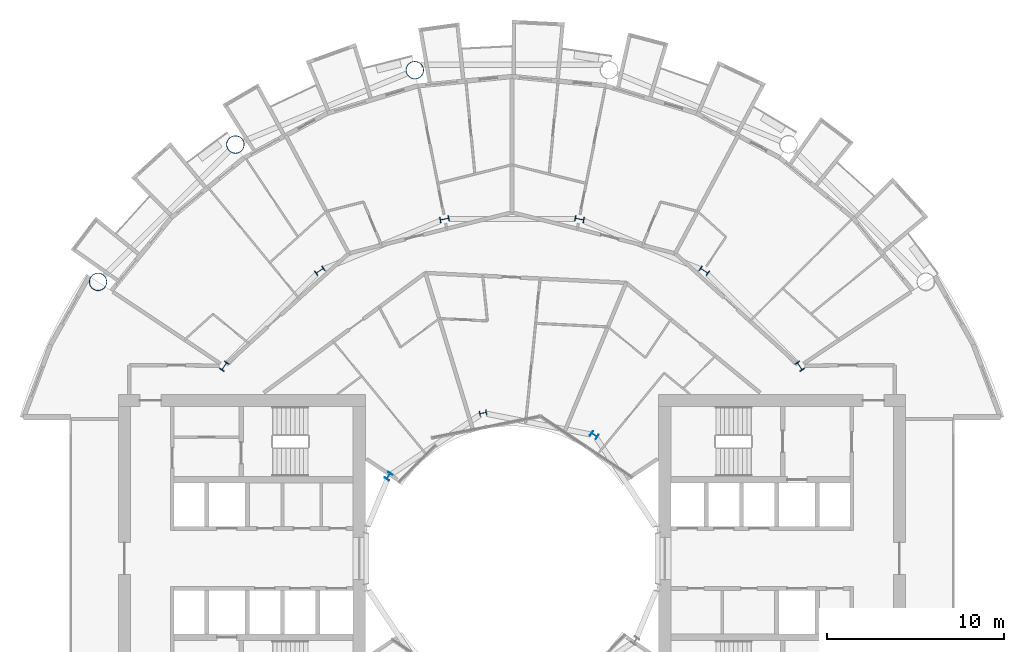
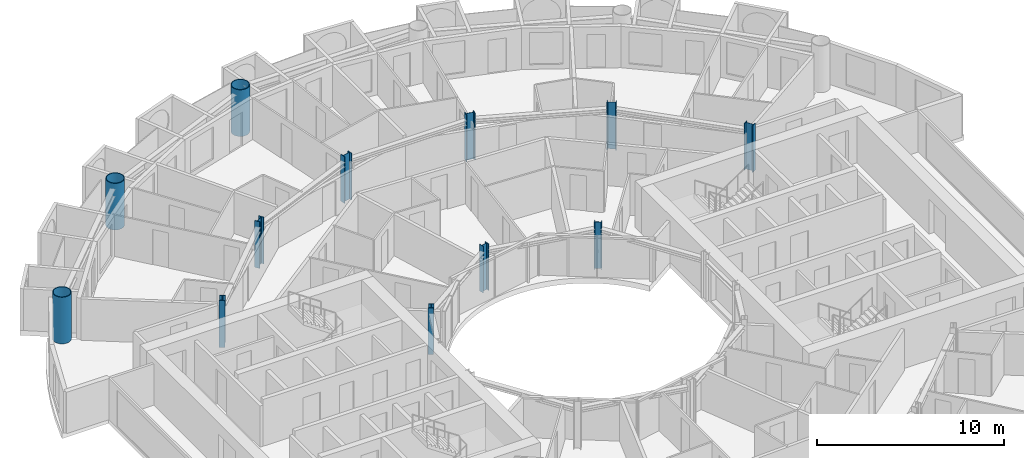
# One storey, part 3 of 26: 12 columns.
"""IFC4 building model written with IfcOpenShell, lengths in metres."""

from ifc_helpers import new_model, si_unit, direction, frame, origin, origin_2d, place, context, subcontext, project, spatial, hollow_circle, i_section, extrude, material, material_profile, profile_set, type_object, element, save


model = new_model("IFC4")

# Units and contexts
model_context = context("Model", 3, precision=1e-05, world=origin(), true_north=direction((0.0, 1.0)))
body_context = subcontext(model_context, "Body", "Model", "MODEL_VIEW")
ifc_project = project(units=[si_unit("LENGTHUNIT", "METRE"), si_unit("AREAUNIT", "SQUARE_METRE"), si_unit("VOLUMEUNIT", "CUBIC_METRE"), si_unit("PLANEANGLEUNIT", "RADIAN"), si_unit("MASSUNIT", "GRAM", prefix="KILO")], contexts=[model_context])

# Site, building, storey
site_placement = place(None, origin())
site = spatial("IfcSite", under=ifc_project, at=site_placement, CompositionType="ELEMENT")
building_placement = place(site_placement, origin())
building = spatial("IfcBuilding", under=site, at=building_placement, Name="Maasbend Ring Residences", CompositionType="ELEMENT")
storey_placement = place(building_placement, frame((0.0, 0.0, 84.949951171875)))
storey = spatial("IfcBuildingStorey", under=building, at=storey_placement, Name="L24", CompositionType="ELEMENT", Elevation=84.949951171875)

# Columns
ifc_material_1 = material(Name="Composite concrete-filled steel tube S460NH / C80/95", Category="concrete")
ifc_material_profile_1 = material_profile(ifc_material_1, hollow_circle(Radius=0.508056640625, WallThickness=0.0400390625, at=origin_2d()), Name="Composite tube column CHS 1016x40")
ifc_profile_set_1 = profile_set([ifc_material_profile_1], Name="Composite concrete-filled steel tube S460NH / C80/95")
column_type_1 = type_object("IfcColumnType", Name="Composite tube column CHS 1016x40", PredefinedType="COLUMN", material=ifc_profile_set_1)
for number, where, z_axis, x_axis, name in (
    (1, (-5.50146484375, 27.658203125, 0.0), (0.0, 0.0, 1.0), (1.0, 0.0, 0.0), "Outer column R5"),
    (2, (-15.6669921875, 23.447509765625, 0.0), (0.0, 0.0, 1.0), (1.0, 0.0, 0.0), "Outer column R6"),
    (3, (-23.447509765625, 15.6669921875, 0.0), (0.0, 0.0, 1.0), (1.0, 0.0, 0.0), "Outer column R7"),
):
    element("IfcColumn", number, at=place(storey_placement, frame(where, z_axis=z_axis, x_axis=x_axis)), inside=storey, type_object=column_type_1, Name=name, PredefinedType="COLUMN", context=body_context, shape_type="SweptSolid", body=[
        extrude(hollow_circle(Radius=0.508056640625, WallThickness=0.0400390625, at=origin_2d()), origin(), (0.0, 0.0, 1.0), 3.050048828125),
    ])
ifc_material_2 = material(Name="Steel S355J2", Category="steel")
ifc_material_profile_2 = material_profile(ifc_material_2, i_section(OverallWidth=0.300048828125, OverallDepth=0.39990234375, WebThickness=0.013427734375, FlangeThickness=0.02392578125, FilletRadius=0.027099609375, at=origin_2d()), Name="HEB 400")
ifc_profile_set_2 = profile_set([ifc_material_profile_2], Name="Steel S355J2")
column_type_2 = type_object("IfcColumnType", Name="Steel column HEB 400", PredefinedType="COLUMN", material=ifc_profile_set_2)
for number, where, z_axis, x_axis, name in (
    (4, (4.666748046875, 6.984375, 0.0), (0.0, 0.0, 1.0), (0.55557023302, 0.831469612303, 0.0), "Well ring column R3"),
    (5, (-1.638916015625, 8.238525390625, 0.0), (0.0, 0.0, 1.0), (-0.195090322016, 0.980785280403, 0.0), "Well ring column R5"),
    (6, (-6.984375, 4.666748046875, 0.0), (0.0, 0.0, 1.0), (-0.831469612303, 0.55557023302, 0.0), "Well ring column R7"),
):
    element("IfcColumn", number, at=place(storey_placement, frame(where, z_axis=z_axis, x_axis=x_axis)), inside=storey, type_object=column_type_2, Name=name, PredefinedType="COLUMN", context=body_context, shape_type="SweptSolid", body=[
        extrude(i_section(OverallWidth=0.300048828125, OverallDepth=0.39990234375, WebThickness=0.013427734375, FlangeThickness=0.02392578125, FilletRadius=0.027099609375, at=origin_2d()), origin(), (0.0, 0.0, 1.0), 3.050048828125),
    ])
ifc_material_3 = material(Name="Steel S460M", Category="steel")
ifc_material_profile_3 = material_profile(ifc_material_3, i_section(OverallWidth=0.305908203125, OverallDepth=0.52392578125, WebThickness=0.02099609375, FlangeThickness=0.0400390625, FilletRadius=0.027099609375, at=origin_2d()), Name="HEM 500")
ifc_profile_set_3 = profile_set([ifc_material_profile_3], Name="Steel S460M")
column_type_3 = type_object("IfcColumnType", Name="Steel column HEM 500", PredefinedType="COLUMN", material=ifc_profile_set_3)
for number, where, z_axis, x_axis, name in (
    (7, (16.296875, 10.88916015625, 0.0), (0.0, 0.0, 1.0), (0.831469612303, 0.55557023302, 0.0), "Corridor ring column R2"),
    (8, (10.88916015625, 16.296875, 0.0), (0.0, 0.0, 1.0), (0.55557023302, 0.831469612303, 0.0), "Corridor ring column R3"),
    (9, (3.82373046875, 19.223388671875, 0.0), (0.0, 0.0, 1.0), (0.195090322016, 0.980785280403, 0.0), "Corridor ring column R4"),
    (10, (-3.82373046875, 19.223388671875, 0.0), (0.0, 0.0, 1.0), (-0.195090322016, 0.980785280403, 0.0), "Corridor ring column R5"),
    (11, (-10.88916015625, 16.296875, 0.0), (0.0, 0.0, 1.0), (-0.55557023302, 0.831469612303, 0.0), "Corridor ring column R6"),
    (12, (-16.296875, 10.88916015625, 0.0), (0.0, 0.0, 1.0), (-0.831469612303, 0.55557023302, 0.0), "Corridor ring column R7"),
):
    element("IfcColumn", number, at=place(storey_placement, frame(where, z_axis=z_axis, x_axis=x_axis)), inside=storey, type_object=column_type_3, Name=name, PredefinedType="COLUMN", context=body_context, shape_type="SweptSolid", body=[
        extrude(i_section(OverallWidth=0.305908203125, OverallDepth=0.52392578125, WebThickness=0.02099609375, FlangeThickness=0.0400390625, FilletRadius=0.027099609375, at=origin_2d()), origin(), (0.0, 0.0, 1.0), 3.050048828125),
    ])

save(model, "model.ifc")
